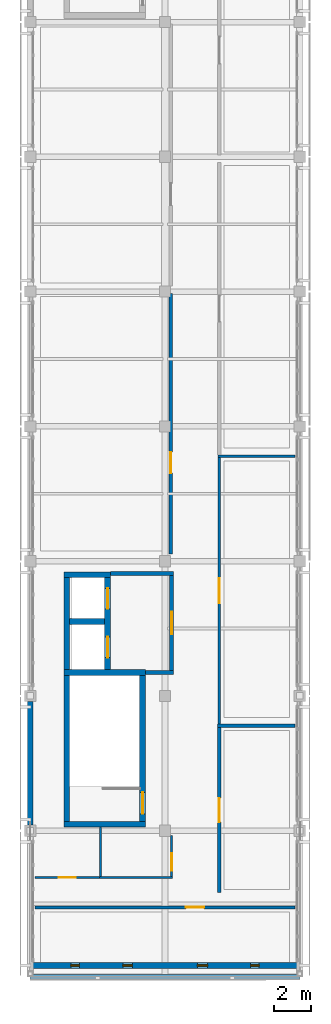
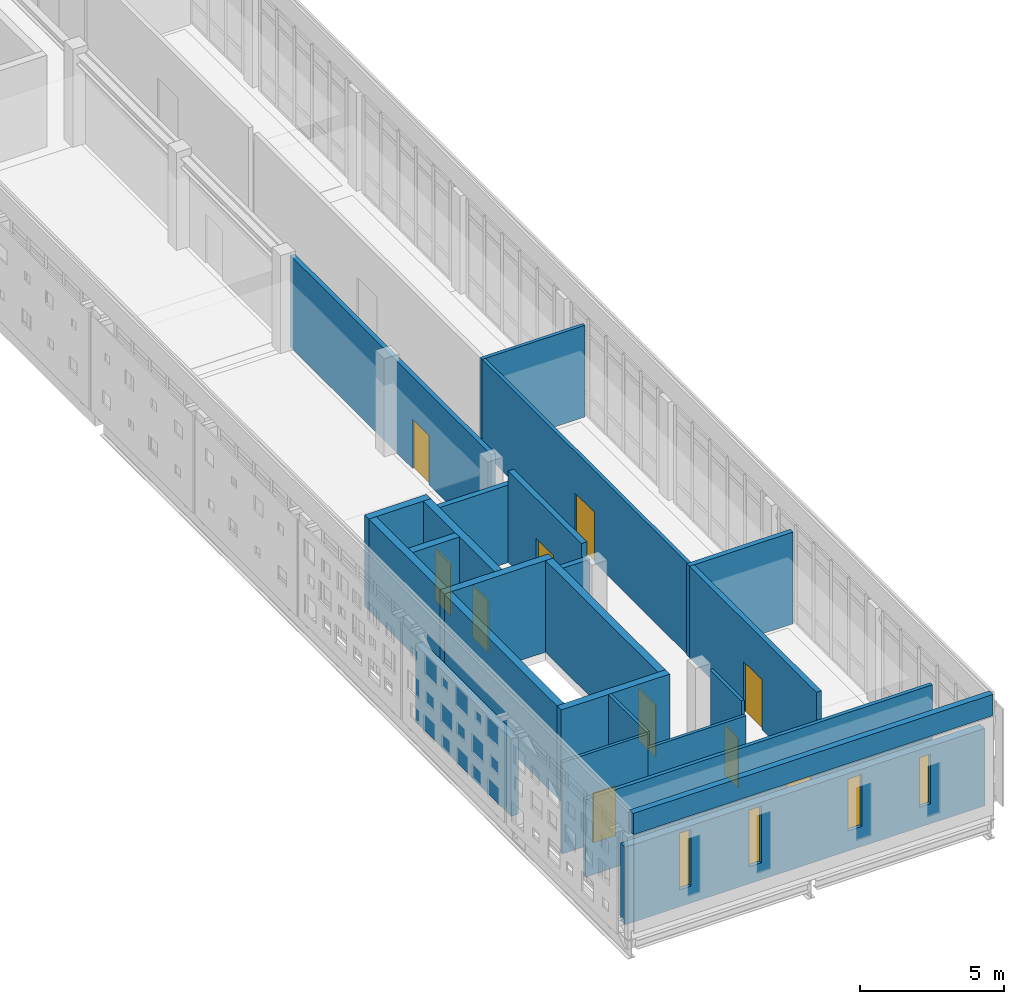
# One storey, part 14 of 19: 24 walls, 10 doors, 4 windows, 14 openings.
"""IFC4 building model written with IfcOpenShell, lengths in metres."""

from ifc_helpers import new_model, si_unit, direction, frame, frame_2d, origin, place, context, subcontext, project, spatial, rectangle, extrude, material, layer, layer_set, type_object, element, fill, save


model = new_model("IFC4")

# Units and contexts
model_context = context("Model", 3, precision=1e-05, world=origin(), true_north=direction((0.0, 1.0)))
body_context = subcontext(model_context, "Body", "Model", "MODEL_VIEW")
ifc_project = project(units=[si_unit("LENGTHUNIT", "METRE"), si_unit("AREAUNIT", "SQUARE_METRE"), si_unit("VOLUMEUNIT", "CUBIC_METRE"), si_unit("PLANEANGLEUNIT", "RADIAN"), si_unit("MASSUNIT", "GRAM", prefix="KILO")], contexts=[model_context])

# Site, building, storey
site_placement = place(None, origin())
site = spatial("IfcSite", under=ifc_project, at=site_placement, CompositionType="ELEMENT")
building_placement = place(site_placement, origin())
building = spatial("IfcBuilding", under=site, at=building_placement, Name="Valkovuoma Quantum and Materials Research Institute", CompositionType="ELEMENT")
storey_placement = place(building_placement, frame((0.0, 0.0, 38.080078125)))
storey = spatial("IfcBuildingStorey", under=building, at=storey_placement, Name="L09", CompositionType="ELEMENT", Elevation=38.080078125)

# Walls
ifc_material_1 = material(Name="Concrete C40/50", Category="concrete")
ifc_layer_1 = layer(ifc_material_1, 0.300048828125)
ifc_layer_set_1 = layer_set([ifc_layer_1], Name="Concrete C40/50")
wall_type_1 = type_object("IfcWallType", Name="Wall-W-COR300", PredefinedType="SHEAR", material=ifc_layer_set_1)
for number, where, z_axis, x_axis, name in (
    (1, (1.800048828125, 29.14990234375, 0.0), (0.0, 0.0, 1.0), (1.0, 0.0, 0.0), "L09 core wall 0111"),
    (2, (1.800048828125, 37.25, 0.0), (0.0, 0.0, 1.0), (1.0, 0.0, 0.0), "L09 core wall 0112"),
):
    element("IfcWall", number, at=place(storey_placement, frame(where, z_axis=z_axis, x_axis=x_axis)), inside=storey, type_object=wall_type_1, Name=name, PredefinedType="SHEAR", context=body_context, shape_type="SweptSolid", body=[
        extrude(rectangle(XDim=4.349853515625, YDim=0.300048828125, at=frame_2d((2.1748046875, 0.0))), origin(), (0.0, 0.0, 1.0), 3.8798828125),
    ])
wall_1_placement = place(storey_placement, frame((1.949951171875, 29.300048828125, 0.0), z_axis=(0.0, 0.0, 1.0), x_axis=(0.0, 1.0, 0.0)))
element("IfcWall", 3, at=wall_1_placement, inside=storey, type_object=wall_type_1, Name="L09 core wall 0113", PredefinedType="SHEAR", context=body_context, shape_type="SweptSolid", body=[
    extrude(rectangle(XDim=7.800048828125, YDim=0.300048828125, at=frame_2d((3.89990234375, 0.0))), origin(), (0.0, 0.0, 1.0), 3.8798828125),
])

# Wall, opening, door
wall_2_placement = place(storey_placement, frame((6.0, 29.300048828125, 0.0), z_axis=(0.0, 0.0, 1.0), x_axis=(0.0, 1.0, 0.0)))
wall_2 = element("IfcWall", 4, at=wall_2_placement, inside=storey, type_object=wall_type_1, Name="L09 core wall 0114", PredefinedType="SHEAR", context=body_context, shape_type="SweptSolid", body=[
    extrude(rectangle(XDim=7.800048828125, YDim=0.300048828125, at=frame_2d((3.89990234375, 0.0))), origin(), (0.0, 0.0, 1.0), 3.8798828125),
])
opening_1_placement = place(wall_2_placement, frame((0.39990234375, 0.0, 0.0)))
opening_1 = element("IfcOpeningElement", 5, at=opening_1_placement, cuts=wall_2, Name="Opening SD-021", PredefinedType="OPENING", context=body_context, shape_type="SweptSolid", body=[
    extrude(rectangle(XDim=1.14990234375, YDim=2.199951171875, at=frame_2d((0.574951171875, 1.10009765625))), frame((0.0, 0.16015625, 0.0), z_axis=(0.0, -1.0, 0.0), x_axis=(1.0, 0.0, 0.0)), (0.0, 0.0, 1.0), 0.320068359375),
])
ifc_material_2 = material(Name="Powder-coated steel and acoustic timber door assembly", Category="steel")
door_type_1 = type_object("IfcDoorType", Name="Door-DR-ST60", OperationType="NOTDEFINED", PredefinedType="DOOR", material=ifc_material_2)
door_1_placement = place(opening_1_placement, origin())
door_1 = element("IfcDoor", 6, at=door_1_placement, inside=storey, type_object=door_type_1, Name="L09 ST-1 fire door", OperationType="SINGLE_SWING_RIGHT", OverallHeight=2.199951171875, OverallWidth=1.14990234375, PredefinedType="DOOR", context=body_context, shape_type="SweptSolid", body=[
    extrude(rectangle(XDim=1.14990234375, YDim=2.199951171875, at=frame_2d((0.574951171875, 1.10009765625))), frame((0.0, 0.02490234375, 0.0), z_axis=(0.0, -1.0, 0.0), x_axis=(1.0, 0.0, 0.0)), (0.0, 0.0, 1.0), 0.050048828125),
])
fill(opening_1, door_1)

# Walls
wall_3_placement = place(storey_placement, frame((1.800048828125, 42.47998046875, 0.0), z_axis=(0.0, 0.0, 1.0), x_axis=(1.0, 0.0, 0.0)))
element("IfcWall", 7, at=wall_3_placement, inside=storey, type_object=wall_type_1, Name="L09 core wall 0115", PredefinedType="SHEAR", context=body_context, shape_type="SweptSolid", body=[
    extrude(rectangle(XDim=2.47998046875, YDim=0.300048828125, at=frame_2d((1.239990234375, 0.0))), origin(), (0.0, 0.0, 1.0), 3.8798828125),
])
wall_4_placement = place(storey_placement, frame((2.10009765625, 39.97509765625, 0.0), z_axis=(0.0, 0.0, 1.0), x_axis=(1.0, 0.0, 0.0)))
element("IfcWall", 8, at=wall_4_placement, inside=storey, type_object=wall_type_1, Name="L09 core wall 0116", PredefinedType="SHEAR", context=body_context, shape_type="SweptSolid", body=[
    extrude(rectangle(XDim=1.8798828125, YDim=0.300048828125, at=frame_2d((0.93994140625, 0.0))), origin(), (0.0, 0.0, 1.0), 3.8798828125),
])
wall_5_placement = place(storey_placement, frame((1.949951171875, 37.39990234375, 0.0), z_axis=(0.0, 0.0, 1.0), x_axis=(0.0, 1.0, 0.0)))
element("IfcWall", 9, at=wall_5_placement, inside=storey, type_object=wall_type_1, Name="L09 core wall 0117", PredefinedType="SHEAR", context=body_context, shape_type="SweptSolid", body=[
    extrude(rectangle(XDim=4.93017578125, YDim=0.300048828125, at=frame_2d((2.465087890625, 0.0))), origin(), (0.0, 0.0, 1.0), 3.8798828125),
])

# Wall, openings, doors
wall_6_placement = place(storey_placement, frame((4.1298828125, 37.39990234375, 0.0), z_axis=(0.0, 0.0, 1.0), x_axis=(0.0, 1.0, 0.0)))
wall_6 = element("IfcWall", 10, at=wall_6_placement, inside=storey, type_object=wall_type_1, Name="L09 core wall 0118", PredefinedType="SHEAR", context=body_context, shape_type="SweptSolid", body=[
    extrude(rectangle(XDim=4.93017578125, YDim=0.300048828125, at=frame_2d((2.465087890625, 0.0))), origin(), (0.0, 0.0, 1.0), 3.8798828125),
])
opening_2_placement = place(wall_6_placement, frame((0.64990234375, 0.0, 0.0)))
opening_2 = element("IfcOpeningElement", 11, at=opening_2_placement, cuts=wall_6, Name="Opening LD-021", PredefinedType="OPENING", context=body_context, shape_type="SweptSolid", body=[
    extrude(rectangle(XDim=1.10009765625, YDim=2.199951171875, at=frame_2d((0.550048828125, 1.10009765625))), frame((0.0, 0.16015625, 0.0), z_axis=(0.0, -1.0, 0.0), x_axis=(1.0, 0.0, 0.0)), (0.0, 0.0, 1.0), 0.320068359375),
])
opening_3_placement = place(wall_6_placement, frame((3.25, 0.0, 0.0)))
opening_3 = element("IfcOpeningElement", 12, at=opening_3_placement, cuts=wall_6, Name="Opening LD-022", PredefinedType="OPENING", context=body_context, shape_type="SweptSolid", body=[
    extrude(rectangle(XDim=1.10009765625, YDim=2.199951171875, at=frame_2d((0.550048828125, 1.10009765625))), frame((0.0, 0.16015625, 0.0), z_axis=(0.0, -1.0, 0.0), x_axis=(1.0, 0.0, 0.0)), (0.0, 0.0, 1.0), 0.320068359375),
])
ifc_material_3 = material(Name="Powder-coated steel and acoustic timber door assembly", Category="steel")
door_type_2 = type_object("IfcDoorType", Name="Door-DR-LD01", OperationType="NOTDEFINED", PredefinedType="DOOR", material=ifc_material_3)
door_2_placement = place(opening_2_placement, origin())
door_2 = element("IfcDoor", 13, at=door_2_placement, inside=storey, type_object=door_type_2, Name="L09 LIFT-FF1 sliding landing door", OperationType="SLIDING_TO_LEFT", OverallHeight=2.199951171875, OverallWidth=1.10009765625, PredefinedType="DOOR", context=body_context, shape_type="SweptSolid", body=[
    extrude(rectangle(XDim=1.10009765625, YDim=2.199951171875, at=frame_2d((0.550048828125, 1.10009765625))), frame((0.0, 0.02490234375, 0.0), z_axis=(0.0, -1.0, 0.0), x_axis=(1.0, 0.0, 0.0)), (0.0, 0.0, 1.0), 0.050048828125),
])
fill(opening_2, door_2)
door_3_placement = place(opening_3_placement, origin())
door_3 = element("IfcDoor", 14, at=door_3_placement, inside=storey, type_object=door_type_2, Name="L09 LIFT-P1 sliding landing door", OperationType="SLIDING_TO_LEFT", OverallHeight=2.199951171875, OverallWidth=1.10009765625, PredefinedType="DOOR", context=body_context, shape_type="SweptSolid", body=[
    extrude(rectangle(XDim=1.10009765625, YDim=2.199951171875, at=frame_2d((0.550048828125, 1.10009765625))), frame((0.0, 0.02490234375, 0.0), z_axis=(0.0, -1.0, 0.0), x_axis=(1.0, 0.0, 0.0)), (0.0, 0.0, 1.0), 0.050048828125),
])
fill(opening_3, door_3)

# Wall
ifc_material_4 = material(Name="Precast concrete C40/50", Category="concrete")
ifc_layer_2 = layer(ifc_material_4, 0.300048828125)
ifc_layer_set_2 = layer_set([ifc_layer_2], Name="Precast concrete C40/50")
wall_type_2 = type_object("IfcWallType", Name="Wall-W-EXT300", PredefinedType="SOLIDWALL", material=ifc_layer_set_2)
wall_7_placement = place(storey_placement, frame((0.0, 29.090087890625, 0.0), z_axis=(0.0, 0.0, 1.0), x_axis=(0.0, 1.0, 0.0)))
element("IfcWall", 15, at=wall_7_placement, inside=storey, type_object=wall_type_2, Name="L09 exterior wall 0067", PredefinedType="SOLIDWALL", context=body_context, shape_type="SweptSolid", body=[
    extrude(rectangle(XDim=6.619873046875, YDim=0.300048828125, at=frame_2d((3.31005859375, 0.0))), origin(), (0.0, 0.0, 1.0), 3.280029296875),
])

# Wall, openings, windows
ifc_material_5 = material(Name="Precast concrete C40/50", Category="concrete")
ifc_layer_3 = layer(ifc_material_5, 0.320068359375)
ifc_layer_set_3 = layer_set([ifc_layer_3], Name="Precast concrete C40/50")
wall_type_3 = type_object("IfcWallType", Name="Wall-W-EXT320", PredefinedType="SOLIDWALL", material=ifc_layer_set_3)
wall_8_placement = place(storey_placement, frame((0.0, 21.60009765625, 0.0), z_axis=(0.0, 0.0, 1.0), x_axis=(1.0, 0.0, 0.0)))
wall_8 = element("IfcWall", 16, at=wall_8_placement, inside=storey, type_object=wall_type_3, Name="L09 exterior wall 0065", PredefinedType="SOLIDWALL", context=body_context, shape_type="SweptSolid", body=[
    extrude(rectangle(XDim=14.39990234375, YDim=0.320068359375, at=frame_2d((7.199951171875, 0.0))), origin(), (0.0, 0.0, 1.0), 3.280029296875),
])
opening_4_placement = place(wall_8_placement, frame((2.175048828125, 0.0, 0.719970703125)))
opening_4 = element("IfcOpeningElement", 17, at=opening_4_placement, cuts=wall_8, Name="Opening WN-SL01", PredefinedType="OPENING", context=body_context, shape_type="SweptSolid", body=[
    extrude(rectangle(XDim=0.449951171875, YDim=2.39990234375, at=frame_2d((0.22509765625, 1.199951171875))), frame((0.0, 0.169921875, 0.0), z_axis=(0.0, -1.0, 0.0), x_axis=(1.0, 0.0, 0.0)), (0.0, 0.0, 1.0), 0.340087890625),
])
opening_5_placement = place(wall_8_placement, frame((4.949951171875, 0.0, 0.719970703125)))
opening_5 = element("IfcOpeningElement", 18, at=opening_5_placement, cuts=wall_8, Name="Opening WN-SL02", PredefinedType="OPENING", context=body_context, shape_type="SweptSolid", body=[
    extrude(rectangle(XDim=0.5, YDim=2.39990234375, at=frame_2d((0.25, 1.199951171875))), frame((0.0, 0.169921875, 0.0), z_axis=(0.0, -1.0, 0.0), x_axis=(1.0, 0.0, 0.0)), (0.0, 0.0, 1.0), 0.340087890625),
])
opening_6_placement = place(wall_8_placement, frame((8.925048828125, 0.0, 0.85009765625)))
opening_6 = element("IfcOpeningElement", 19, at=opening_6_placement, cuts=wall_8, Name="Opening WN-SL03", PredefinedType="OPENING", context=body_context, shape_type="SweptSolid", body=[
    extrude(rectangle(XDim=0.550048828125, YDim=2.199951171875, at=frame_2d((0.27490234375, 1.10009765625))), frame((0.0, 0.169921875, 0.0), z_axis=(0.0, -1.0, 0.0), x_axis=(1.0, 0.0, 0.0)), (0.0, 0.0, 1.0), 0.340087890625),
])
opening_7_placement = place(wall_8_placement, frame((11.77490234375, 0.0, 0.85009765625)))
opening_7 = element("IfcOpeningElement", 20, at=opening_7_placement, cuts=wall_8, Name="Opening WN-SL04", PredefinedType="OPENING", context=body_context, shape_type="SweptSolid", body=[
    extrude(rectangle(XDim=0.449951171875, YDim=2.10009765625, at=frame_2d((0.22509765625, 1.050048828125))), frame((0.0, 0.169921875, 0.0), z_axis=(0.0, -1.0, 0.0), x_axis=(1.0, 0.0, 0.0)), (0.0, 0.0, 1.0), 0.340087890625),
])
ifc_material_6 = material(Name="Triple low-E argon glazing in thermally broken aluminium frame", Category="aluminium")
window_type_1 = type_object("IfcWindowType", Name="Win-WN-SL01", PartitioningType="SINGLE_PANEL", PredefinedType="WINDOW", material=ifc_material_6)
window_1_placement = place(opening_4_placement, origin())
window_1 = element("IfcWindow", 21, at=window_1_placement, inside=storey, type_object=window_type_1, Name="L09 window 0069", OverallHeight=2.39990234375, OverallWidth=0.449951171875, PartitioningType="SINGLE_PANEL", PredefinedType="WINDOW", context=body_context, shape_type="SweptSolid", body=[
    extrude(rectangle(XDim=0.449951171875, YDim=2.39990234375, at=frame_2d((0.22509765625, 1.199951171875))), frame((0.0, 0.030029296875, 0.0), z_axis=(0.0, -1.0, 0.0), x_axis=(1.0, 0.0, 0.0)), (0.0, 0.0, 1.0), 0.06005859375),
])
fill(opening_4, window_1)
ifc_material_7 = material(Name="Triple low-E argon glazing in thermally broken aluminium frame", Category="aluminium")
window_type_2 = type_object("IfcWindowType", Name="Win-WN-SL02", PartitioningType="SINGLE_PANEL", PredefinedType="WINDOW", material=ifc_material_7)
window_2_placement = place(opening_5_placement, origin())
window_2 = element("IfcWindow", 22, at=window_2_placement, inside=storey, type_object=window_type_2, Name="L09 window 0070", OverallHeight=2.39990234375, OverallWidth=0.5, PartitioningType="SINGLE_PANEL", PredefinedType="WINDOW", context=body_context, shape_type="SweptSolid", body=[
    extrude(rectangle(XDim=0.5, YDim=2.39990234375, at=frame_2d((0.25, 1.199951171875))), frame((0.0, 0.030029296875, 0.0), z_axis=(0.0, -1.0, 0.0), x_axis=(1.0, 0.0, 0.0)), (0.0, 0.0, 1.0), 0.06005859375),
])
fill(opening_5, window_2)
ifc_material_8 = material(Name="Triple low-E argon glazing in thermally broken aluminium frame", Category="aluminium")
window_type_3 = type_object("IfcWindowType", Name="Win-WN-SL03", PartitioningType="SINGLE_PANEL", PredefinedType="WINDOW", material=ifc_material_8)
window_3_placement = place(opening_6_placement, origin())
window_3 = element("IfcWindow", 23, at=window_3_placement, inside=storey, type_object=window_type_3, Name="L09 window 0071", OverallHeight=2.199951171875, OverallWidth=0.550048828125, PartitioningType="SINGLE_PANEL", PredefinedType="WINDOW", context=body_context, shape_type="SweptSolid", body=[
    extrude(rectangle(XDim=0.550048828125, YDim=2.199951171875, at=frame_2d((0.27490234375, 1.10009765625))), frame((0.0, 0.030029296875, 0.0), z_axis=(0.0, -1.0, 0.0), x_axis=(1.0, 0.0, 0.0)), (0.0, 0.0, 1.0), 0.06005859375),
])
fill(opening_6, window_3)
ifc_material_9 = material(Name="Triple low-E argon glazing in thermally broken aluminium frame", Category="aluminium")
window_type_4 = type_object("IfcWindowType", Name="Win-WN-SL04", PartitioningType="SINGLE_PANEL", PredefinedType="WINDOW", material=ifc_material_9)
window_4_placement = place(opening_7_placement, origin())
window_4 = element("IfcWindow", 24, at=window_4_placement, inside=storey, type_object=window_type_4, Name="L09 window 0072", OverallHeight=2.10009765625, OverallWidth=0.449951171875, PartitioningType="SINGLE_PANEL", PredefinedType="WINDOW", context=body_context, shape_type="SweptSolid", body=[
    extrude(rectangle(XDim=0.449951171875, YDim=2.10009765625, at=frame_2d((0.22509765625, 1.050048828125))), frame((0.0, 0.030029296875, 0.0), z_axis=(0.0, -1.0, 0.0), x_axis=(1.0, 0.0, 0.0)), (0.0, 0.0, 1.0), 0.06005859375),
])
fill(opening_7, window_4)

# Walls
ifc_material_10 = material(Name="Concrete C40/50", Category="concrete")
ifc_layer_4 = layer(ifc_material_10, 0.219970703125)
ifc_layer_set_4 = layer_set([ifc_layer_4], Name="Concrete C40/50")
wall_type_4 = type_object("IfcWallType", Name="Wall-W-FFL220", PredefinedType="SOLIDWALL", material=ifc_layer_set_4)
wall_9_placement = place(storey_placement, frame((6.14990234375, 37.25, 0.0), z_axis=(0.0, 0.0, 1.0), x_axis=(1.0, 0.0, 0.0)))
element("IfcWall", 25, at=wall_9_placement, inside=storey, type_object=wall_type_4, Name="L09 core wall 0119", PredefinedType="SOLIDWALL", context=body_context, shape_type="SweptSolid", body=[
    extrude(rectangle(XDim=1.510009765625, YDim=0.219970703125, at=frame_2d((0.7548828125, 0.0))), origin(), (0.0, 0.0, 1.0), 3.280029296875),
])
wall_10_placement = place(storey_placement, frame((4.280029296875, 42.550048828125, 0.0), z_axis=(0.0, 0.0, 1.0), x_axis=(1.0, 0.0, 0.0)))
element("IfcWall", 26, at=wall_10_placement, inside=storey, type_object=wall_type_4, Name="L09 core wall 0120", PredefinedType="SOLIDWALL", context=body_context, shape_type="SweptSolid", body=[
    extrude(rectangle(XDim=3.3798828125, YDim=0.219970703125, at=frame_2d((1.68994140625, 0.0))), origin(), (0.0, 0.0, 1.0), 3.280029296875),
])

# Wall, opening, door
wall_11_placement = place(storey_placement, frame((7.550048828125, 37.360107421875, 0.0), z_axis=(0.0, 0.0, 1.0), x_axis=(0.0, 1.0, 0.0)))
wall_11 = element("IfcWall", 27, at=wall_11_placement, inside=storey, type_object=wall_type_4, Name="L09 core wall 0121", PredefinedType="SOLIDWALL", context=body_context, shape_type="SweptSolid", body=[
    extrude(rectangle(XDim=5.079833984375, YDim=0.219970703125, at=frame_2d((2.5400390625, 0.0))), origin(), (0.0, 0.0, 1.0), 3.8798828125),
])
opening_8_placement = place(wall_11_placement, frame((1.93994140625, 0.0, 0.0)))
opening_8 = element("IfcOpeningElement", 28, at=opening_8_placement, cuts=wall_11, Name="Opening FD-022", PredefinedType="OPENING", context=body_context, shape_type="SweptSolid", body=[
    extrude(rectangle(XDim=1.199951171875, YDim=2.199951171875, at=frame_2d((0.60009765625, 1.10009765625))), frame((0.0, 0.1201171875, 0.0), z_axis=(0.0, -1.0, 0.0), x_axis=(1.0, 0.0, 0.0)), (0.0, 0.0, 1.0), 0.239990234375),
])
ifc_material_11 = material(Name="Powder-coated steel and acoustic timber door assembly", Category="steel")
door_type_3 = type_object("IfcDoorType", Name="Door-DR-FF60", OperationType="NOTDEFINED", PredefinedType="DOOR", material=ifc_material_11)
door_4_placement = place(opening_8_placement, origin())
door_4 = element("IfcDoor", 29, at=door_4_placement, inside=storey, type_object=door_type_3, Name="L09 firefighting lobby door", OperationType="SINGLE_SWING_RIGHT", OverallHeight=2.199951171875, OverallWidth=1.199951171875, PredefinedType="DOOR", context=body_context, shape_type="SweptSolid", body=[
    extrude(rectangle(XDim=1.199951171875, YDim=2.199951171875, at=frame_2d((0.60009765625, 1.10009765625))), frame((0.0, 0.02490234375, 0.0), z_axis=(0.0, -1.0, 0.0), x_axis=(1.0, 0.0, 0.0)), (0.0, 0.0, 1.0), 0.050048828125),
])
fill(opening_8, door_4)

# Walls
ifc_material_12 = material(Name="Precast concrete C40/50", Category="concrete")
ifc_layer_5 = layer(ifc_material_12, 0.25)
ifc_layer_set_5 = layer_set([ifc_layer_5], Name="Precast concrete C40/50")
wall_type_5 = type_object("IfcWallType", Name="Wall-W-PAR250", PredefinedType="PARAPET", material=ifc_layer_set_5)
wall_12_placement = place(storey_placement, frame((0.0, 21.0, 4.159912109375), z_axis=(0.0, 0.0, 1.0), x_axis=(1.0, 0.0, 0.0)))
element("IfcWall", 30, at=wall_12_placement, inside=storey, type_object=wall_type_5, Name="L09 exterior wall 0069", PredefinedType="PARAPET", context=body_context, shape_type="SweptSolid", body=[
    extrude(rectangle(XDim=14.39990234375, YDim=0.25, at=frame_2d((7.199951171875, 0.0))), origin(), (0.0, 0.0, 1.0), 0.89990234375),
])
ifc_material_13 = material(Name="Service and WC partition", Category="masonry")
ifc_layer_6 = layer(ifc_material_13, 0.1201171875)
ifc_layer_set_6 = layer_set([ifc_layer_6], Name="Service and WC partition")
wall_type_6 = type_object("IfcWallType", Name="Wall-W-PRT120", PredefinedType="PARTITIONING", material=ifc_layer_set_6)
wall_13_placement = place(storey_placement, frame((3.68994140625, 26.300048828125, 0.0), z_axis=(0.0, 0.0, 1.0), x_axis=(1.0, 0.0, 0.0)))
element("IfcWall", 31, at=wall_13_placement, inside=storey, type_object=wall_type_6, Name="L09 partition 0282", PredefinedType="PARTITIONING", context=body_context, shape_type="SweptSolid", body=[
    extrude(rectangle(XDim=3.920166015625, YDim=0.1201171875, at=frame_2d((1.9599609375, 0.0))), origin(), (0.0, 0.0, 1.0), 3.280029296875),
])
wall_14_placement = place(storey_placement, frame((3.75, 26.360107421875, 0.0), z_axis=(0.0, 0.0, 1.0), x_axis=(0.0, 1.0, 0.0)))
element("IfcWall", 32, at=wall_14_placement, inside=storey, type_object=wall_type_6, Name="L09 partition 0283", PredefinedType="PARTITIONING", context=body_context, shape_type="SweptSolid", body=[
    extrude(rectangle(XDim=2.639892578125, YDim=0.1201171875, at=frame_2d((1.31982421875, 0.0))), origin(), (0.0, 0.0, 1.0), 3.8798828125),
])

# Wall, opening, door
wall_15_placement = place(storey_placement, frame((7.550048828125, 26.360107421875, 0.0), z_axis=(0.0, 0.0, 1.0), x_axis=(0.0, 1.0, 0.0)))
wall_15 = element("IfcWall", 33, at=wall_15_placement, inside=storey, type_object=wall_type_6, Name="L09 partition 0284", PredefinedType="PARTITIONING", context=body_context, shape_type="SweptSolid", body=[
    extrude(rectangle(XDim=2.179931640625, YDim=0.1201171875, at=frame_2d((1.08984375, 0.0))), origin(), (0.0, 0.0, 1.0), 3.8798828125),
])
opening_9_placement = place(wall_15_placement, frame((0.29296875, 0.0, 0.0)))
opening_9 = element("IfcOpeningElement", 34, at=opening_9_placement, cuts=wall_15, Name="Opening ID-0199", PredefinedType="OPENING", context=body_context, shape_type="SweptSolid", body=[
    extrude(rectangle(XDim=0.93994140625, YDim=2.10009765625, at=frame_2d((0.469970703125, 1.050048828125))), frame((0.0, 0.070068359375, 0.0), z_axis=(0.0, -1.0, 0.0), x_axis=(1.0, 0.0, 0.0)), (0.0, 0.0, 1.0), 0.14013671875),
])
ifc_material_14 = material(Name="Powder-coated steel and acoustic timber door assembly", Category="steel")
door_type_4 = type_object("IfcDoorType", Name="Door-DR-WC01", OperationType="NOTDEFINED", PredefinedType="DOOR", material=ifc_material_14)
door_5_placement = place(opening_9_placement, frame((0.93994140625, 0.0, 0.0), z_axis=(0.0, 0.0, 1.0), x_axis=(-1.0, 0.0, 0.0)))
door_5 = element("IfcDoor", 35, at=door_5_placement, inside=storey, type_object=door_type_4, Name="L09 room door 0199", OperationType="SINGLE_SWING_RIGHT", OverallHeight=2.10009765625, OverallWidth=0.93994140625, PredefinedType="DOOR", context=body_context, shape_type="SweptSolid", body=[
    extrude(rectangle(XDim=0.93994140625, YDim=2.10009765625, at=frame_2d((0.469970703125, 1.050048828125))), frame((0.0, 0.02490234375, 0.0), z_axis=(0.0, -1.0, 0.0), x_axis=(1.0, 0.0, 0.0)), (0.0, 0.0, 1.0), 0.050048828125),
])
fill(opening_9, door_5)

wall_16_placement = place(storey_placement, frame((0.25, 26.300048828125, 0.0), z_axis=(0.0, 0.0, 1.0), x_axis=(1.0, 0.0, 0.0)))
wall_16 = element("IfcWall", 36, at=wall_16_placement, inside=storey, type_object=wall_type_6, Name="L09 partition 0285", PredefinedType="PARTITIONING", context=body_context, shape_type="SweptSolid", body=[
    extrude(rectangle(XDim=3.43994140625, YDim=0.1201171875, at=frame_2d((1.719970703125, 0.0))), origin(), (0.0, 0.0, 1.0), 3.8798828125),
])
opening_10_placement = place(wall_16_placement, frame((1.27001953125, 0.0, 0.0)))
opening_10 = element("IfcOpeningElement", 37, at=opening_10_placement, cuts=wall_16, Name="Opening ID-0200", PredefinedType="OPENING", context=body_context, shape_type="SweptSolid", body=[
    extrude(rectangle(XDim=0.89990234375, YDim=2.10009765625, at=frame_2d((0.449951171875, 1.050048828125))), frame((0.0, 0.070068359375, 0.0), z_axis=(0.0, -1.0, 0.0), x_axis=(1.0, 0.0, 0.0)), (0.0, 0.0, 1.0), 0.14013671875),
])
ifc_material_15 = material(Name="Powder-coated steel and acoustic timber door assembly", Category="steel")
door_type_5 = type_object("IfcDoorType", Name="Door-DR-WC02", OperationType="NOTDEFINED", PredefinedType="DOOR", material=ifc_material_15)
door_6_placement = place(opening_10_placement, origin())
door_6 = element("IfcDoor", 38, at=door_6_placement, inside=storey, type_object=door_type_5, Name="L09 room door 0200", OperationType="SINGLE_SWING_LEFT", OverallHeight=2.10009765625, OverallWidth=0.89990234375, PredefinedType="DOOR", context=body_context, shape_type="SweptSolid", body=[
    extrude(rectangle(XDim=0.89990234375, YDim=2.10009765625, at=frame_2d((0.449951171875, 1.050048828125))), frame((0.0, 0.02490234375, 0.0), z_axis=(0.0, -1.0, 0.0), x_axis=(1.0, 0.0, 0.0)), (0.0, 0.0, 1.0), 0.050048828125),
])
fill(opening_10, door_6)

# Wall
ifc_material_16 = material(Name="Interior office stud partition", Category="masonry")
ifc_layer_7 = layer(ifc_material_16, 0.135009765625)
ifc_layer_set_7 = layer_set([ifc_layer_7], Name="Interior office stud partition")
wall_type_7 = type_object("IfcWallType", Name="Wall-W-PRT135", PredefinedType="PARTITIONING", material=ifc_layer_set_7)
wall_17_placement = place(storey_placement, frame((10.032470703125, 48.800048828125, 0.0), z_axis=(0.0, 0.0, 1.0), x_axis=(1.0, 0.0, 0.0)))
element("IfcWall", 39, at=wall_17_placement, inside=storey, type_object=wall_type_7, Name="L09 partition 0291", PredefinedType="PARTITIONING", context=body_context, shape_type="SweptSolid", body=[
    extrude(rectangle(XDim=4.117431640625, YDim=0.135009765625, at=frame_2d((2.05859375, 0.0))), origin(), (0.0, 0.0, 1.0), 3.8798828125),
])

# Wall, opening, door
wall_18_placement = place(storey_placement, frame((10.10009765625, 34.5, 0.0), z_axis=(0.0, 0.0, 1.0), x_axis=(0.0, 1.0, 0.0)))
wall_18 = element("IfcWall", 40, at=wall_18_placement, inside=storey, type_object=wall_type_7, Name="L09 partition 0292", PredefinedType="PARTITIONING", context=body_context, shape_type="SweptSolid", body=[
    extrude(rectangle(XDim=14.232421875, YDim=0.135009765625, at=frame_2d((7.1162109375, 0.0))), origin(), (0.0, 0.0, 1.0), 3.8798828125),
])
opening_11_placement = place(wall_18_placement, frame((6.451171875, 0.0, 0.0)))
opening_11 = element("IfcOpeningElement", 41, at=opening_11_placement, cuts=wall_18, Name="Opening ID-0205", PredefinedType="OPENING", context=body_context, shape_type="SweptSolid", body=[
    extrude(rectangle(XDim=1.330078125, YDim=2.1201171875, at=frame_2d((0.6650390625, 1.06005859375))), frame((0.0, 0.07763671875, 0.0), z_axis=(0.0, -1.0, 0.0), x_axis=(1.0, 0.0, 0.0)), (0.0, 0.0, 1.0), 0.155029296875),
])
ifc_material_17 = material(Name="Powder-coated steel and acoustic timber door assembly", Category="steel")
door_type_6 = type_object("IfcDoorType", Name="Door-DR-RM09", OperationType="NOTDEFINED", PredefinedType="DOOR", material=ifc_material_17)
door_7_placement = place(opening_11_placement, origin())
door_7 = element("IfcDoor", 42, at=door_7_placement, inside=storey, type_object=door_type_6, Name="L09 room door 0205", OperationType="SINGLE_SWING_RIGHT", OverallHeight=2.1201171875, OverallWidth=1.330078125, PredefinedType="DOOR", context=body_context, shape_type="SweptSolid", body=[
    extrude(rectangle(XDim=1.330078125, YDim=2.1201171875, at=frame_2d((0.6650390625, 1.06005859375))), frame((0.0, 0.02490234375, 0.0), z_axis=(0.0, -1.0, 0.0), x_axis=(1.0, 0.0, 0.0)), (0.0, 0.0, 1.0), 0.050048828125),
])
fill(opening_11, door_7)

ifc_material_18 = material(Name="Acoustic write-up studio partition", Category="masonry")
ifc_layer_8 = layer(ifc_material_18, 0.14990234375)
ifc_layer_set_8 = layer_set([ifc_layer_8], Name="Acoustic write-up studio partition")
wall_type_8 = type_object("IfcWallType", Name="Wall-W-PRT150", PredefinedType="PARTITIONING", material=ifc_layer_set_8)
wall_19_placement = place(storey_placement, frame((0.25, 24.699951171875, 0.0), z_axis=(0.0, 0.0, 1.0), x_axis=(1.0, 0.0, 0.0)))
wall_19 = element("IfcWall", 43, at=wall_19_placement, inside=storey, type_object=wall_type_8, Name="L09 partition 0281", PredefinedType="PARTITIONING", context=body_context, shape_type="SweptSolid", body=[
    extrude(rectangle(XDim=13.89990234375, YDim=0.14990234375, at=frame_2d((6.949951171875, 0.0))), origin(), (0.0, 0.0, 1.0), 3.280029296875),
])
opening_12_placement = place(wall_19_placement, frame((8.06494140625, 0.0, 0.0)))
opening_12 = element("IfcOpeningElement", 44, at=opening_12_placement, cuts=wall_19, Name="Opening ID-0198", PredefinedType="OPENING", context=body_context, shape_type="SweptSolid", body=[
    extrude(rectangle(XDim=0.969970703125, YDim=2.080078125, at=frame_2d((0.48486328125, 1.0400390625))), frame((0.0, 0.0849609375, 0.0), z_axis=(0.0, -1.0, 0.0), x_axis=(1.0, 0.0, 0.0)), (0.0, 0.0, 1.0), 0.169921875),
])
ifc_material_19 = material(Name="Powder-coated steel and acoustic timber door assembly", Category="steel")
door_type_7 = type_object("IfcDoorType", Name="Door-DR-RM02", OperationType="NOTDEFINED", PredefinedType="DOOR", material=ifc_material_19)
door_8_placement = place(opening_12_placement, origin())
door_8 = element("IfcDoor", 45, at=door_8_placement, inside=storey, type_object=door_type_7, Name="L09 room door 0198", OperationType="SINGLE_SWING_LEFT", OverallHeight=2.080078125, OverallWidth=0.969970703125, PredefinedType="DOOR", context=body_context, shape_type="SweptSolid", body=[
    extrude(rectangle(XDim=0.969970703125, YDim=2.080078125, at=frame_2d((0.48486328125, 1.0400390625))), frame((0.0, 0.02490234375, 0.0), z_axis=(0.0, -1.0, 0.0), x_axis=(1.0, 0.0, 0.0)), (0.0, 0.0, 1.0), 0.050048828125),
])
fill(opening_12, door_8)

ifc_material_20 = material(Name="Laboratory fire-rated gypsum partition", Category="masonry")
ifc_layer_9 = layer(ifc_material_20, 0.179931640625)
ifc_layer_set_9 = layer_set([ifc_layer_9], Name="Laboratory fire-rated gypsum partition")
wall_type_9 = type_object("IfcWallType", Name="Wall-W-PRT180", PredefinedType="PARTITIONING", material=ifc_layer_set_9)
wall_20_placement = place(storey_placement, frame((7.5, 43.590087890625, 0.0), z_axis=(0.0, 0.0, 1.0), x_axis=(0.0, 1.0, 0.0)))
wall_20 = element("IfcWall", 46, at=wall_20_placement, inside=storey, type_object=wall_type_9, Name="L09 partition 0286", PredefinedType="PARTITIONING", context=body_context, shape_type="SweptSolid", body=[
    extrude(rectangle(XDim=13.919921875, YDim=0.179931640625, at=frame_2d((6.9599609375, 0.0))), origin(), (0.0, 0.0, 1.0), 3.8798828125),
])
opening_13_placement = place(wall_20_placement, frame((4.306884765625, 0.0, 0.0)))
opening_13 = element("IfcOpeningElement", 47, at=opening_13_placement, cuts=wall_20, Name="Opening ID-0201", PredefinedType="OPENING", context=body_context, shape_type="SweptSolid", body=[
    extrude(rectangle(XDim=1.1298828125, YDim=2.080078125, at=frame_2d((0.56494140625, 1.0400390625))), frame((0.0, 0.10009765625, 0.0), z_axis=(0.0, -1.0, 0.0), x_axis=(1.0, 0.0, 0.0)), (0.0, 0.0, 1.0), 0.199951171875),
])
ifc_material_21 = material(Name="Powder-coated steel and acoustic timber door assembly", Category="steel")
door_type_8 = type_object("IfcDoorType", Name="Door-DR-RM05", OperationType="NOTDEFINED", PredefinedType="DOOR", material=ifc_material_21)
door_9_placement = place(opening_13_placement, origin())
door_9 = element("IfcDoor", 48, at=door_9_placement, inside=storey, type_object=door_type_8, Name="L09 room door 0201", OperationType="SINGLE_SWING_RIGHT", OverallHeight=2.080078125, OverallWidth=1.1298828125, PredefinedType="DOOR", context=body_context, shape_type="SweptSolid", body=[
    extrude(rectangle(XDim=1.1298828125, YDim=2.080078125, at=frame_2d((0.56494140625, 1.0400390625))), frame((0.0, 0.02490234375, 0.0), z_axis=(0.0, -1.0, 0.0), x_axis=(1.0, 0.0, 0.0)), (0.0, 0.0, 1.0), 0.050048828125),
])
fill(opening_13, door_9)

# Wall
ifc_material_22 = material(Name="Acoustic double-stud gypsum and mineral wool partition", Category="masonry")
ifc_layer_10 = layer(ifc_material_22, 0.199951171875)
ifc_layer_set_10 = layer_set([ifc_layer_10], Name="Acoustic double-stud gypsum and mineral wool partition")
wall_type_10 = type_object("IfcWallType", Name="Wall-W-PRT200", PredefinedType="PARTITIONING", material=ifc_layer_set_10)
wall_21_placement = place(storey_placement, frame((10.0, 34.39990234375, 0.0), z_axis=(0.0, 0.0, 1.0), x_axis=(1.0, 0.0, 0.0)))
element("IfcWall", 49, at=wall_21_placement, inside=storey, type_object=wall_type_10, Name="L09 partition 0289", PredefinedType="PARTITIONING", context=body_context, shape_type="SweptSolid", body=[
    extrude(rectangle(XDim=4.14990234375, YDim=0.199951171875, at=frame_2d((2.074951171875, 0.0))), origin(), (0.0, 0.0, 1.0), 3.8798828125),
])

# Wall, opening, door
wall_22_placement = place(storey_placement, frame((10.10009765625, 25.5, 0.0), z_axis=(0.0, 0.0, 1.0), x_axis=(0.0, 1.0, 0.0)))
wall_22 = element("IfcWall", 50, at=wall_22_placement, inside=storey, type_object=wall_type_10, Name="L09 partition 0290", PredefinedType="PARTITIONING", context=body_context, shape_type="SweptSolid", body=[
    extrude(rectangle(XDim=8.800048828125, YDim=0.199951171875, at=frame_2d((4.39990234375, 0.0))), origin(), (0.0, 0.0, 1.0), 3.8798828125),
])
opening_14_placement = place(wall_22_placement, frame((3.760009765625, 0.0, 0.0)))
opening_14 = element("IfcOpeningElement", 51, at=opening_14_placement, cuts=wall_22, Name="Opening ID-0204", PredefinedType="OPENING", context=body_context, shape_type="SweptSolid", body=[
    extrude(rectangle(XDim=1.280029296875, YDim=2.1201171875, at=frame_2d((0.64013671875, 1.06005859375))), frame((0.0, 0.10986328125, 0.0), z_axis=(0.0, -1.0, 0.0), x_axis=(1.0, 0.0, 0.0)), (0.0, 0.0, 1.0), 0.219970703125),
])
ifc_material_23 = material(Name="Powder-coated steel and acoustic timber door assembly", Category="steel")
door_type_9 = type_object("IfcDoorType", Name="Door-DR-RM08", OperationType="NOTDEFINED", PredefinedType="DOOR", material=ifc_material_23)
door_10_placement = place(opening_14_placement, origin())
door_10 = element("IfcDoor", 52, at=door_10_placement, inside=storey, type_object=door_type_9, Name="L09 room door 0204", OperationType="SINGLE_SWING_LEFT", OverallHeight=2.1201171875, OverallWidth=1.280029296875, PredefinedType="DOOR", context=body_context, shape_type="SweptSolid", body=[
    extrude(rectangle(XDim=1.280029296875, YDim=2.1201171875, at=frame_2d((0.64013671875, 1.06005859375))), frame((0.0, 0.02490234375, 0.0), z_axis=(0.0, -1.0, 0.0), x_axis=(1.0, 0.0, 0.0)), (0.0, 0.0, 1.0), 0.050048828125),
])
fill(opening_14, door_10)

save(model, "model.ifc")
